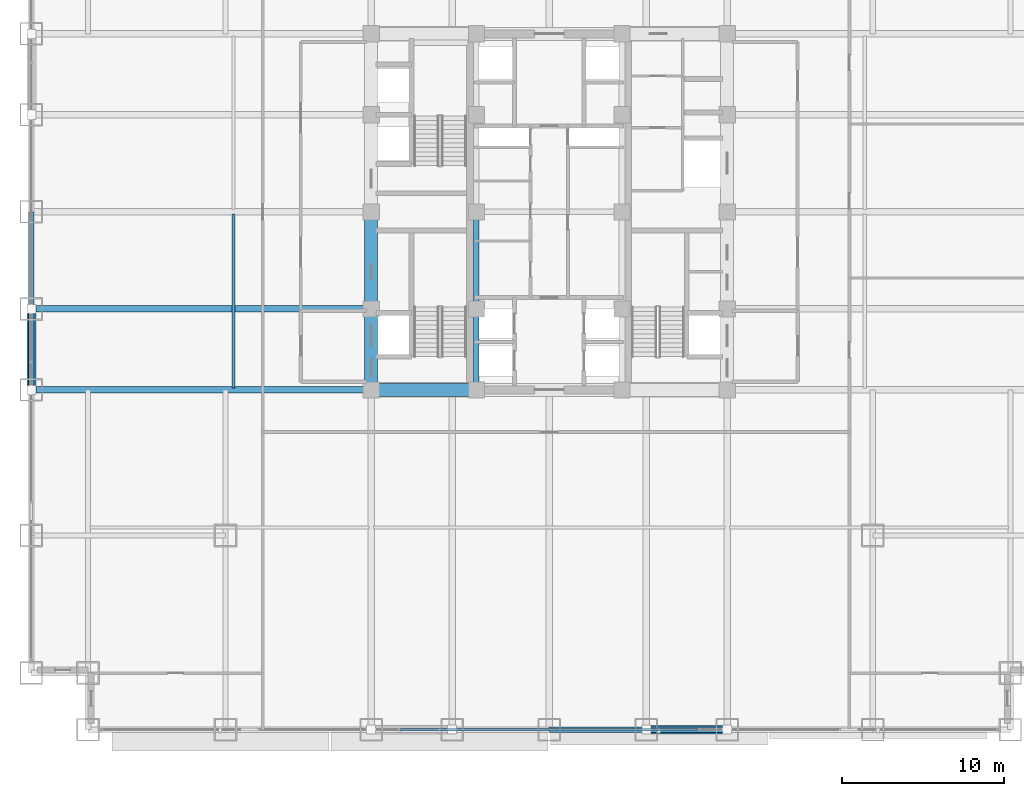
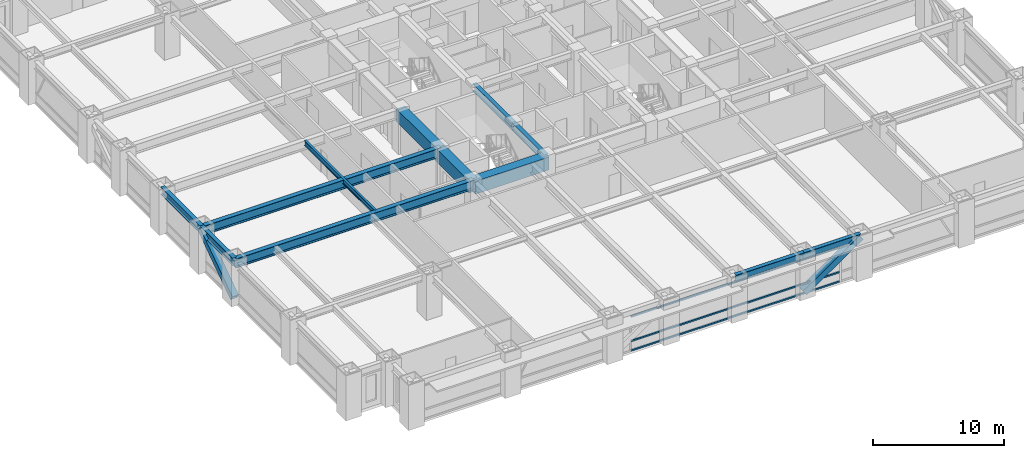
# One storey, part 7 of 31: 12 beams, 5 members, 1 element without a shape of its own.
"""IFC4 building model written with IfcOpenShell, lengths in metres."""

from ifc_helpers import new_model, si_unit, direction, frame, origin, origin_2d, place, context, subcontext, project, spatial, rectangle, hollow_rectangle, i_section, extrude, source, transform, mapped, material, material_profile, profile_set, type_object, element, aggregate, save


model = new_model("IFC4")

# Units and contexts
model_context = context("Model", 3, precision=1e-05, world=origin(), true_north=direction((0.0, 1.0)))
body_context = subcontext(model_context, "Body", "Model", "MODEL_VIEW")
ifc_project = project(units=[si_unit("LENGTHUNIT", "METRE"), si_unit("AREAUNIT", "SQUARE_METRE"), si_unit("VOLUMEUNIT", "CUBIC_METRE"), si_unit("PLANEANGLEUNIT", "RADIAN"), si_unit("MASSUNIT", "GRAM", prefix="KILO")], contexts=[model_context])

# Site, building, storey
site_placement = place(None, origin())
site = spatial("IfcSite", under=ifc_project, at=site_placement, CompositionType="ELEMENT")
building_placement = place(site_placement, origin())
building = spatial("IfcBuilding", under=site, at=building_placement, Name="Khorayat Bourse Tower", CompositionType="ELEMENT")
storey_placement = place(building_placement, frame((0.0, 0.0, 36.800048828125)))
storey = spatial("IfcBuildingStorey", under=building, at=storey_placement, Name="L07", CompositionType="ELEMENT", Elevation=36.800048828125)

# Beams
ifc_material_1 = material(Name="Concrete C72/90", Category="concrete")
ifc_material_profile_1 = material_profile(ifc_material_1, rectangle(XDim=0.800048828125, YDim=1.199951171875, at=origin_2d()), Name="RC 800x1200")
ifc_profile_set_1 = profile_set([ifc_material_profile_1], Name="Concrete C72/90")
beam_type_1 = type_object("IfcBeamType", Name="BM-COUP-1200", PredefinedType="BEAM", material=ifc_profile_set_1)
shared_shape_1 = source(origin(), body_context, "Body", "SweptSolid", [
    extrude(rectangle(XDim=0.800048828125, YDim=1.199951171875, at=origin_2d()), origin(), (0.0, 0.0, 1.0), 5.0),
])
beam_1_placement = place(storey_placement, frame((-11.0, -11.0, 3.33984375), z_axis=(0.0, 1.0, 0.0), x_axis=(-1.0, 0.0, 0.0)))
element("IfcBeam", 1, at=beam_1_placement, inside=storey, type_object=beam_type_1, Name="L07 BM-COUP-1200 BM-L07-CRX-01", PredefinedType="BEAM", context=body_context, shape_type="MappedRepresentation", body=[
    mapped(shared_shape_1, transform((0.0, 0.0, 0.0), scale=1.0)),
])
shared_shape_2 = source(origin(), body_context, "Body", "SweptSolid", [
    extrude(rectangle(XDim=0.800048828125, YDim=1.199951171875, at=origin_2d()), origin(), (0.0, 0.0, 1.0), 6.0),
])
beam_2_placement = place(storey_placement, frame((-11.0, -6.0, 3.33984375), z_axis=(0.0, 1.0, 0.0), x_axis=(-1.0, 0.0, 0.0)))
element("IfcBeam", 2, at=beam_2_placement, inside=storey, type_object=beam_type_1, Name="L07 BM-COUP-1200 BM-L07-CRX-02", PredefinedType="BEAM", context=body_context, shape_type="MappedRepresentation", body=[
    mapped(shared_shape_2, transform((0.0, 0.0, 0.0), scale=1.0)),
])
ifc_material_2 = material(Name="Steel ASTM A992 Grade 50", Category="steel")
ifc_material_profile_2 = material_profile(ifc_material_2, i_section(OverallWidth=0.35498046875, OverallDepth=0.695068359375, WebThickness=0.015380859375, FlangeThickness=0.02490234375, FilletRadius=0.01806640625, at=origin_2d()), Name="W690X217")
ifc_profile_set_2 = profile_set([ifc_material_profile_2], Name="Steel ASTM A992 Grade 50")
beam_type_2 = type_object("IfcBeamType", Name="BM-GIRD-690", PredefinedType="BEAM", material=ifc_profile_set_2)
shared_shape_3 = source(origin(), body_context, "Body", "SweptSolid", [
    extrude(i_section(OverallWidth=0.35498046875, OverallDepth=0.695068359375, WebThickness=0.015380859375, FlangeThickness=0.02490234375, FilletRadius=0.01806640625, at=origin_2d()), origin(), (0.0, 0.0, 1.0), 5.0),
])
beam_3_placement = place(storey_placement, frame((-4.5, -11.0, 3.592529296875), z_axis=(0.0, 1.0, 0.0), x_axis=(-1.0, 0.0, 0.0)))
element("IfcBeam", 3, at=beam_3_placement, inside=storey, type_object=beam_type_2, Name="L07 BM-GIRD-690 BM-L07-CRX-05", PredefinedType="BEAM", context=body_context, shape_type="MappedRepresentation", body=[
    mapped(shared_shape_3, transform((0.0, 0.0, 0.0), scale=1.0)),
])
shared_shape_4 = source(origin(), body_context, "Body", "SweptSolid", [
    extrude(i_section(OverallWidth=0.35498046875, OverallDepth=0.695068359375, WebThickness=0.015380859375, FlangeThickness=0.02490234375, FilletRadius=0.01806640625, at=origin_2d()), origin(), (0.0, 0.0, 1.0), 6.0),
])
beam_4_placement = place(storey_placement, frame((-4.5, -6.0, 3.592529296875), z_axis=(0.0, 1.0, 0.0), x_axis=(-1.0, 0.0, 0.0)))
element("IfcBeam", 4, at=beam_4_placement, inside=storey, type_object=beam_type_2, Name="L07 BM-GIRD-690 BM-L07-CRX-06", PredefinedType="BEAM", context=body_context, shape_type="MappedRepresentation", body=[
    mapped(shared_shape_4, transform((0.0, 0.0, 0.0), scale=1.0)),
])
shared_shape_5 = source(origin(), body_context, "Body", "SweptSolid", [
    extrude(rectangle(XDim=0.800048828125, YDim=1.199951171875, at=origin_2d()), origin(), (0.0, 0.0, 1.0), 6.5),
])
beam_5_placement = place(storey_placement, frame((-11.0, -11.0, 3.33984375), z_axis=(1.0, 0.0, 0.0), x_axis=(0.0, 1.0, 0.0)))
element("IfcBeam", 5, at=beam_5_placement, inside=storey, type_object=beam_type_1, Name="L07 BM-COUP-1200 BM-L07-CRY-17", PredefinedType="BEAM", context=body_context, shape_type="MappedRepresentation", body=[
    mapped(shared_shape_5, transform((0.0, 0.0, 0.0), scale=1.0)),
])
ifc_material_profile_3 = material_profile(ifc_material_2, i_section(OverallWidth=0.35498046875, OverallDepth=0.695068359375, WebThickness=0.015380859375, FlangeThickness=0.02490234375, FilletRadius=0.01806640625, at=origin_2d()), Name="W690X217")
ifc_profile_set_3 = profile_set([ifc_material_profile_3], Name="Steel ASTM A992 Grade 50")
beam_type_3 = type_object("IfcBeamType", Name="BM-SPAN-690", PredefinedType="SPANDREL", material=ifc_profile_set_3)
shared_shape_6 = source(origin(), body_context, "Body", "SweptSolid", [
    extrude(i_section(OverallWidth=0.35498046875, OverallDepth=0.695068359375, WebThickness=0.015380859375, FlangeThickness=0.02490234375, FilletRadius=0.01806640625, at=origin_2d()), origin(), (0.0, 0.0, 1.0), 5.0),
])
for number, where, z_axis, x_axis, name in (
    (6, (6.0, -32.0, 3.592529296875), (1.0, 0.0, 0.0), (0.0, 1.0, 0.0), "L07 BM-SPAN-690 BM-L07-SPN-029"),
    (7, (-32.0, -11.0, 3.592529296875), (0.0, 1.0, 0.0), (-1.0, 0.0, 0.0), "L07 BM-SPAN-690 BM-L07-SPN-059"),
):
    element("IfcBeam", number, at=place(storey_placement, frame(where, z_axis=z_axis, x_axis=x_axis)), inside=storey, type_object=beam_type_3, Name=name, PredefinedType="SPANDREL", context=body_context, shape_type="MappedRepresentation", body=[
        mapped(shared_shape_6, transform((0.0, 0.0, 0.0), scale=1.0)),
    ])
shared_shape_7 = source(origin(), body_context, "Body", "SweptSolid", [
    extrude(i_section(OverallWidth=0.35498046875, OverallDepth=0.695068359375, WebThickness=0.015380859375, FlangeThickness=0.02490234375, FilletRadius=0.01806640625, at=origin_2d()), origin(), (0.0, 0.0, 1.0), 6.0),
])
for number, where, z_axis, x_axis, name in (
    (8, (0.0, -32.0, 3.592529296875), (1.0, 0.0, 0.0), (0.0, 1.0, 0.0), "L07 BM-SPAN-690 BM-L07-SPN-028"),
    (9, (-32.0, -6.0, 3.592529296875), (0.0, 1.0, 0.0), (-1.0, 0.0, 0.0), "L07 BM-SPAN-690 BM-L07-SPN-058"),
):
    element("IfcBeam", number, at=place(storey_placement, frame(where, z_axis=z_axis, x_axis=x_axis)), inside=storey, type_object=beam_type_3, Name=name, PredefinedType="SPANDREL", context=body_context, shape_type="MappedRepresentation", body=[
        mapped(shared_shape_7, transform((0.0, 0.0, 0.0), scale=1.0)),
    ])
ifc_material_profile_4 = material_profile(ifc_material_2, i_section(OverallWidth=0.39990234375, OverallDepth=0.85498046875, WebThickness=0.018310546875, FlangeThickness=0.029296875, FilletRadius=0.02001953125, at=origin_2d()), Name="W840X299")
ifc_profile_set_4 = profile_set([ifc_material_profile_4], Name="Steel ASTM A992 Grade 50")
beam_type_4 = type_object("IfcBeamType", Name="BM-GIRD-840", PredefinedType="BEAM", material=ifc_profile_set_4)
shared_shape_8 = source(origin(), body_context, "Body", "SweptSolid", [
    extrude(i_section(OverallWidth=0.39990234375, OverallDepth=0.85498046875, WebThickness=0.018310546875, FlangeThickness=0.029296875, FilletRadius=0.02001953125, at=origin_2d()), origin(), (0.0, 0.0, 1.0), 21.0),
])
for number, where, z_axis, x_axis, name in (
    (10, (-32.0, -11.0, 3.512451171875), (1.0, 0.0, 0.0), (0.0, 1.0, 0.0), "L07 BM-GIRD-840 BM-L07-RADX-075"),
    (11, (-32.0, -6.0, 3.512451171875), (1.0, 0.0, 0.0), (0.0, 1.0, 0.0), "L07 BM-GIRD-840 BM-L07-RADX-077"),
):
    element("IfcBeam", number, at=place(storey_placement, frame(where, z_axis=z_axis, x_axis=x_axis)), inside=storey, type_object=beam_type_4, Name=name, PredefinedType="BEAM", context=body_context, shape_type="MappedRepresentation", body=[
        mapped(shared_shape_8, transform((0.0, 0.0, 0.0), scale=1.0)),
    ])
ifc_material_profile_5 = material_profile(ifc_material_2, i_section(OverallWidth=0.194091796875, OverallDepth=0.468994140625, WebThickness=0.0126953125, FlangeThickness=0.0205078125, FilletRadius=0.012939453125, at=origin_2d()), Name="W460X106")
ifc_profile_set_5 = profile_set([ifc_material_profile_5], Name="Steel ASTM A992 Grade 50")
beam_type_5 = type_object("IfcBeamType", Name="BM-JOIST-460", PredefinedType="JOIST", material=ifc_profile_set_5)
shared_shape_9 = source(origin(), body_context, "Body", "SweptSolid", [
    extrude(i_section(OverallWidth=0.194091796875, OverallDepth=0.468994140625, WebThickness=0.0126953125, FlangeThickness=0.0205078125, FilletRadius=0.012939453125, at=origin_2d()), origin(), (0.0, 0.0, 1.0), 10.740234375),
])
beam_6_placement = place(storey_placement, frame((-19.5, -10.8701171875, 3.70556640625), z_axis=(0.0, 1.0, 0.0), x_axis=(-1.0, 0.0, 0.0)))
element("IfcBeam", 12, at=beam_6_placement, inside=storey, type_object=beam_type_5, Name="L07 BM-JOIST-460 BM-L07-JSTY-102", PredefinedType="JOIST", context=body_context, shape_type="MappedRepresentation", body=[
    mapped(shared_shape_9, transform((0.0, 0.0, 0.0), scale=1.0)),
])

# Members
ifc_material_3 = material(Name="Steel EN 10025-4 S460M", Category="steel")
ifc_material_profile_6 = material_profile(ifc_material_3, hollow_rectangle(XDim=0.550048828125, YDim=0.550048828125, WallThickness=0.031982421875, at=origin_2d()), Name="HSS 550x550x32")
ifc_profile_set_6 = profile_set([ifc_material_profile_6], Name="Steel EN 10025-4 S460M")
member_type_1 = type_object("IfcMemberType", Name="MBR-TUBE-550", PredefinedType="BRACE", material=ifc_profile_set_6)
shared_shape_10 = source(origin(), body_context, "Body", "SweptSolid", [
    extrude(hollow_rectangle(XDim=0.550048828125, YDim=0.550048828125, WallThickness=0.031982421875, at=origin_2d()), origin(), (0.0, 0.0, 1.0), 6.069091796875),
])
for number, where, z_axis, x_axis, name in (
    (13, (6.0, -32.0, 0.25), (0.823854080622, 0.0, 0.566801952928), (0.0, 1.0, 0.0), "L07 Perimeter Tube Brace 02"),
    (14, (-32.0, -11.0, 0.25), (0.0, 0.823854080622, 0.566801952928), (-1.0, 0.0, 0.0), "L07 Perimeter Tube Brace 05"),
):
    element("IfcMember", number, at=place(storey_placement, frame(where, z_axis=z_axis, x_axis=x_axis)), inside=storey, type_object=member_type_1, Name=name, PredefinedType="BRACE", context=body_context, shape_type="MappedRepresentation", body=[
        mapped(shared_shape_10, transform((0.0, 0.0, 0.0), scale=1.0)),
    ])

# Curtain wall, members
ifc_material_4 = material(Name="Aluminium EN AW-6063 T6", Category="aluminium")
curtain_wall_type = type_object("IfcCurtainWallType", Name="CW-SYS-02", PredefinedType="NOTDEFINED", material=ifc_material_4)
curtain_wall_placement = place(storey_placement, origin())
curtain_wall = element("IfcCurtainWall", 15, at=curtain_wall_placement, inside=storey, type_object=curtain_wall_type, Name="L07 Curtain Wall CW-L07-S1", PredefinedType="NOTDEFINED")
ifc_material_profile_7 = material_profile(ifc_material_4, hollow_rectangle(XDim=0.139892578125, YDim=0.139892578125, WallThickness=0.006103515625, at=origin_2d()), Name="ALU 140x140x6")
ifc_profile_set_7 = profile_set([ifc_material_profile_7], Name="Aluminium EN AW-6063 T6")
member_type_2 = type_object("IfcMemberType", Name="CWT-HORZ-140", PredefinedType="USERDEFINED", material=ifc_profile_set_7)
shared_shape_11 = source(origin(), body_context, "Body", "SweptSolid", [
    extrude(hollow_rectangle(XDim=0.139892578125, YDim=0.139892578125, WallThickness=0.006103515625, at=origin_2d()), origin(), (0.0, 0.0, 1.0), 18.35986328125),
])
member_1_placement = place(storey_placement, frame((-9.179931640625, -32.0, 0.070068359375), z_axis=(1.0, 0.0, 0.0), x_axis=(0.0, 1.0, 0.0)))
member_1 = element("IfcMember", 16, at=member_1_placement, type_object=member_type_2, Name="CW-L07-S1 Horizontal Transom 2-1", ObjectType="TRANSOM", PredefinedType="USERDEFINED", context=body_context, shape_type="MappedRepresentation", body=[
    mapped(shared_shape_11, transform((0.0, 0.0, 0.0), scale=1.0)),
])
member_2_placement = place(storey_placement, frame((-9.179931640625, -32.0, 0.949951171875), z_axis=(1.0, 0.0, 0.0), x_axis=(0.0, 1.0, 0.0)))
member_2 = element("IfcMember", 17, at=member_2_placement, type_object=member_type_2, Name="CW-L07-S1 Horizontal Transom 2-2", ObjectType="TRANSOM", PredefinedType="USERDEFINED", context=body_context, shape_type="MappedRepresentation", body=[
    mapped(shared_shape_11, transform((0.0, 0.0, 0.0), scale=1.0)),
])
member_3_placement = place(storey_placement, frame((-9.179931640625, -32.0, 3.219970703125), z_axis=(1.0, 0.0, 0.0), x_axis=(0.0, 1.0, 0.0)))
member_3 = element("IfcMember", 18, at=member_3_placement, type_object=member_type_2, Name="CW-L07-S1 Horizontal Transom 2-3", ObjectType="TRANSOM", PredefinedType="USERDEFINED", context=body_context, shape_type="MappedRepresentation", body=[
    mapped(shared_shape_11, transform((0.0, 0.0, 0.0), scale=1.0)),
])
aggregate(curtain_wall, [member_1, member_2, member_3])

save(model, "model.ifc")
